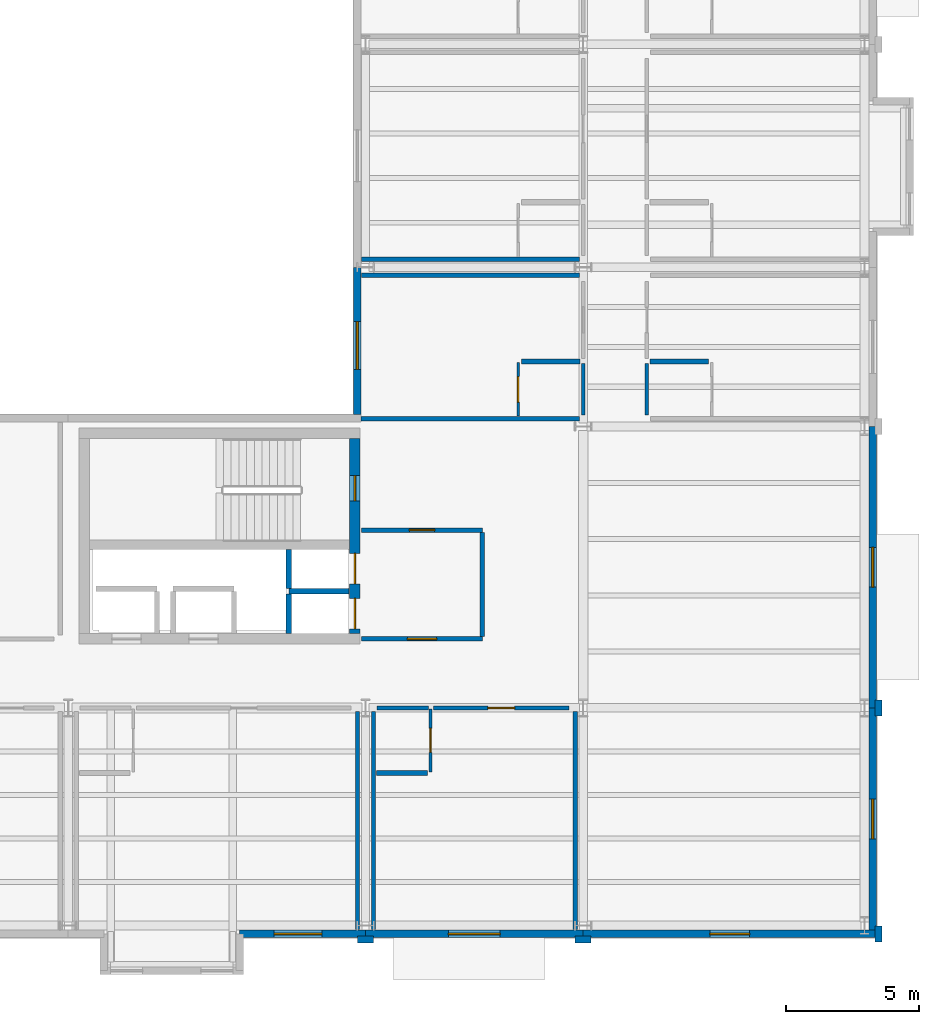
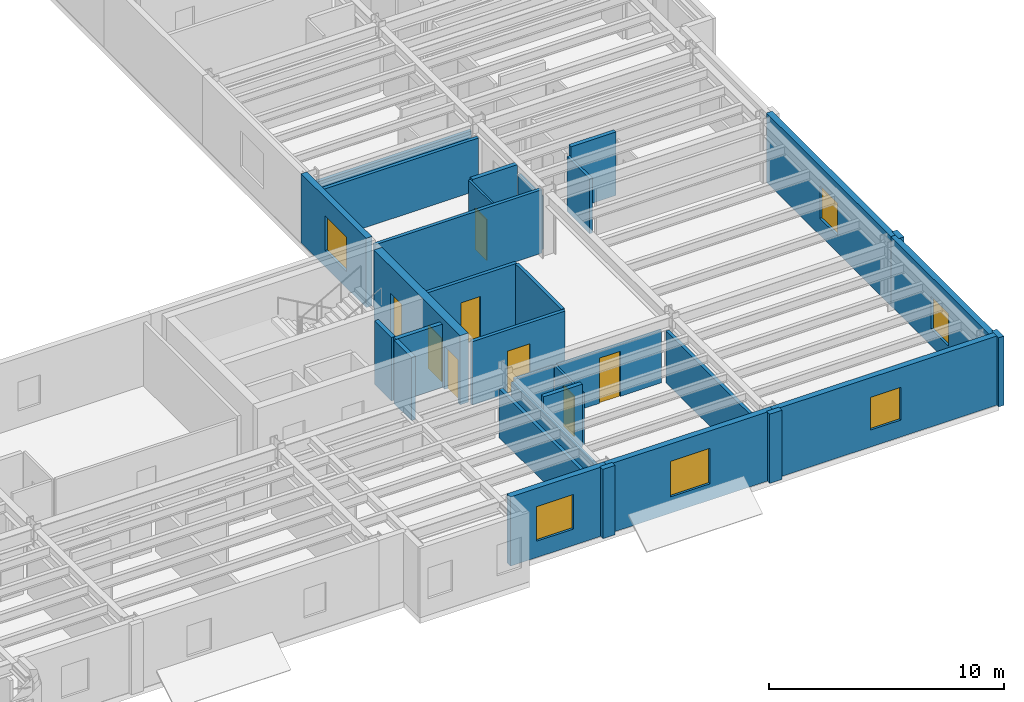
# One storey, part 23 of 34: 32 walls, 8 doors, 6 windows, 14 openings.
"""IFC4 building model written with IfcOpenShell, lengths in metres."""

from ifc_helpers import new_model, si_unit, direction, frame, frame_2d, origin, place, context, subcontext, project, spatial, rectangle, extrude, material, layer, layer_set, type_object, element, fill, save


model = new_model("IFC4")

# Units and contexts
model_context = context("Model", 3, precision=1e-05, world=origin(), true_north=direction((0.0, 1.0)))
body_context = subcontext(model_context, "Body", "Model", "MODEL_VIEW")
ifc_project = project(units=[si_unit("LENGTHUNIT", "METRE"), si_unit("AREAUNIT", "SQUARE_METRE"), si_unit("VOLUMEUNIT", "CUBIC_METRE"), si_unit("PLANEANGLEUNIT", "RADIAN"), si_unit("MASSUNIT", "GRAM", prefix="KILO")], contexts=[model_context])

# Site, building, storey
site_placement = place(None, origin())
site = spatial("IfcSite", under=ifc_project, at=site_placement, CompositionType="ELEMENT")
building_placement = place(site_placement, origin())
building = spatial("IfcBuilding", under=site, at=building_placement, Name="Sollismere Congress Hotel", CompositionType="ELEMENT")
storey_placement = place(building_placement, frame((0.0, 0.0, 23.39990234375)))
storey = spatial("IfcBuildingStorey", under=building, at=storey_placement, Name="L05", CompositionType="ELEMENT", Elevation=23.39990234375)

# Wall, opening, window
ifc_material_1 = material(Name="Colorado Buff Sandstone Rainscreen on Insulated Backup", Category="masonry")
ifc_layer_1 = layer(ifc_material_1, 0.284912109375, Name="Colorado Buff Sandstone Rainscreen on Insulated Backup")
ifc_layer_set_1 = layer_set([ifc_layer_1], Name="Colorado Buff Sandstone Rainscreen on Insulated Backup")
wall_type_1 = type_object("IfcWallType", Name="WL-EXT285", PredefinedType="STANDARD", material=ifc_layer_set_1)
wall_1_placement = place(storey_placement, frame((142.4599609375, -0.31005859375, 0.0), z_axis=(0.0, 0.0, 1.0), x_axis=(1.0, 0.0, 0.0)))
wall_1 = element("IfcWall", 1, at=wall_1_placement, inside=storey, type_object=wall_type_1, Name="Exterior wall EW-L05-600", PredefinedType="STANDARD", context=body_context, shape_type="SweptSolid", body=[
    extrude(rectangle(XDim=4.739990234375, YDim=0.284912109375, at=frame_2d((2.3701171875, 0.0))), origin(), (0.0, 0.0, 1.0), 3.60009765625),
])
opening_1_placement = place(wall_1_placement, frame((1.294921875, 0.0, 0.85009765625)))
opening_1 = element("IfcOpeningElement", 2, at=opening_1_placement, cuts=wall_1, Name="Opening W-L05-448", PredefinedType="OPENING", context=body_context, shape_type="SweptSolid", body=[
    extrude(rectangle(XDim=1.800048828125, YDim=1.800048828125, at=frame_2d((0.89990234375, 0.89990234375))), frame((0.0, 0.15234375, 0.0), z_axis=(0.0, -1.0, 0.0), x_axis=(1.0, 0.0, 0.0)), (0.0, 0.0, 1.0), 0.304931640625),
])
ifc_material_2 = material(Name="Thermally Broken Bronze Aluminum & Low-E Glass", Category="aluminium")
window_type_1 = type_object("IfcWindowType", Name="WN-P180x180", PartitioningType="SINGLE_PANEL", PredefinedType="WINDOW", material=ifc_material_2)
window_1_placement = place(opening_1_placement, origin())
window_1 = element("IfcWindow", 3, at=window_1_placement, inside=storey, type_object=window_type_1, Name="WIN-W-L05-448", OverallHeight=1.800048828125, OverallWidth=1.800048828125, PartitioningType="SINGLE_PANEL", PredefinedType="WINDOW", context=body_context, shape_type="SweptSolid", body=[
    extrude(rectangle(XDim=1.800048828125, YDim=1.800048828125, at=frame_2d((0.89990234375, 0.89990234375))), frame((0.0, 0.030029296875, 0.0), z_axis=(0.0, -1.0, 0.0), x_axis=(1.0, 0.0, 0.0)), (0.0, 0.0, 1.0), 0.06005859375),
])
fill(opening_1, window_1)

wall_2_placement = place(storey_placement, frame((147.199951171875, -0.31005859375, 0.0), z_axis=(0.0, 0.0, 1.0), x_axis=(1.0, 0.0, 0.0)))
wall_2 = element("IfcWall", 4, at=wall_2_placement, inside=storey, type_object=wall_type_1, Name="Exterior wall EW-L05-604", PredefinedType="STANDARD", context=body_context, shape_type="SweptSolid", body=[
    extrude(rectangle(XDim=8.199951171875, YDim=0.284912109375, at=frame_2d((4.10009765625, 0.0))), origin(), (0.0, 0.0, 1.0), 3.60009765625),
])
opening_2_placement = place(wall_2_placement, frame((3.125, 0.0, 0.85009765625)))
opening_2 = element("IfcOpeningElement", 5, at=opening_2_placement, cuts=wall_2, Name="Opening W-L05-451", PredefinedType="OPENING", context=body_context, shape_type="SweptSolid", body=[
    extrude(rectangle(XDim=1.949951171875, YDim=1.85009765625, at=frame_2d((0.97509765625, 0.925048828125))), frame((0.0, 0.15234375, 0.0), z_axis=(0.0, -1.0, 0.0), x_axis=(1.0, 0.0, 0.0)), (0.0, 0.0, 1.0), 0.304931640625),
])
window_type_2 = type_object("IfcWindowType", Name="WN-P195x185", PartitioningType="SINGLE_PANEL", PredefinedType="WINDOW", material=ifc_material_2)
window_2_placement = place(opening_2_placement, origin())
window_2 = element("IfcWindow", 6, at=window_2_placement, inside=storey, type_object=window_type_2, Name="WIN-W-L05-451", OverallHeight=1.85009765625, OverallWidth=1.949951171875, PartitioningType="SINGLE_PANEL", PredefinedType="WINDOW", context=body_context, shape_type="SweptSolid", body=[
    extrude(rectangle(XDim=1.949951171875, YDim=1.85009765625, at=frame_2d((0.97509765625, 0.925048828125))), frame((0.0, 0.030029296875, 0.0), z_axis=(0.0, -1.0, 0.0), x_axis=(1.0, 0.0, 0.0)), (0.0, 0.0, 1.0), 0.06005859375),
])
fill(opening_2, window_2)

wall_3_placement = place(storey_placement, frame((155.39990234375, -0.31005859375, 0.0), z_axis=(0.0, 0.0, 1.0), x_axis=(1.0, 0.0, 0.0)))
wall_3 = element("IfcWall", 7, at=wall_3_placement, inside=storey, type_object=wall_type_1, Name="Exterior wall EW-L05-606", PredefinedType="STANDARD", context=body_context, shape_type="SweptSolid", body=[
    extrude(rectangle(XDim=11.050048828125, YDim=0.284912109375, at=frame_2d((5.52490234375, 0.0))), origin(), (0.0, 0.0, 1.0), 3.60009765625),
])
opening_3_placement = place(wall_3_placement, frame((4.77490234375, 0.0, 0.8798828125)))
opening_3 = element("IfcOpeningElement", 8, at=opening_3_placement, cuts=wall_3, Name="Opening W-L05-452", PredefinedType="OPENING", context=body_context, shape_type="SweptSolid", body=[
    extrude(rectangle(XDim=1.5, YDim=1.699951171875, at=frame_2d((0.75, 0.85009765625))), frame((0.0, 0.15234375, 0.0), z_axis=(0.0, -1.0, 0.0), x_axis=(1.0, 0.0, 0.0)), (0.0, 0.0, 1.0), 0.304931640625),
])
window_type_3 = type_object("IfcWindowType", Name="WN-P150x170", PartitioningType="SINGLE_PANEL", PredefinedType="WINDOW", material=ifc_material_2)
window_3_placement = place(opening_3_placement, origin())
window_3 = element("IfcWindow", 9, at=window_3_placement, inside=storey, type_object=window_type_3, Name="WIN-W-L05-452", OverallHeight=1.699951171875, OverallWidth=1.5, PartitioningType="SINGLE_PANEL", PredefinedType="WINDOW", context=body_context, shape_type="SweptSolid", body=[
    extrude(rectangle(XDim=1.5, YDim=1.699951171875, at=frame_2d((0.75, 0.85009765625))), frame((0.0, 0.030029296875, 0.0), z_axis=(0.0, -1.0, 0.0), x_axis=(1.0, 0.0, 0.0)), (0.0, 0.0, 1.0), 0.06005859375),
])
fill(opening_3, window_3)

wall_4_placement = place(storey_placement, frame((166.31005859375, -0.16552734375, 0.0), z_axis=(0.0, 0.0, 1.0), x_axis=(0.0, 1.0, 0.0)))
wall_4 = element("IfcWall", 10, at=wall_4_placement, inside=storey, type_object=wall_type_1, Name="Exterior wall EW-L05-608", PredefinedType="STANDARD", context=body_context, shape_type="SweptSolid", body=[
    extrude(rectangle(XDim=8.365478515625, YDim=0.284912109375, at=frame_2d((4.1826171875, 0.0))), origin(), (0.0, 0.0, 1.0), 3.60009765625),
])
opening_4_placement = place(wall_4_placement, frame((3.4326171875, 0.0, 0.8798828125)))
opening_4 = element("IfcOpeningElement", 11, at=opening_4_placement, cuts=wall_4, Name="Opening W-L05-453", PredefinedType="OPENING", context=body_context, shape_type="SweptSolid", body=[
    extrude(rectangle(XDim=1.5, YDim=1.699951171875, at=frame_2d((0.75, 0.85009765625))), frame((0.0, 0.15234375, 0.0), z_axis=(0.0, -1.0, 0.0), x_axis=(1.0, 0.0, 0.0)), (0.0, 0.0, 1.0), 0.304931640625),
])
window_4_placement = place(opening_4_placement, origin())
window_4 = element("IfcWindow", 12, at=window_4_placement, inside=storey, type_object=window_type_3, Name="WIN-W-L05-453", OverallHeight=1.699951171875, OverallWidth=1.5, PartitioningType="SINGLE_PANEL", PredefinedType="WINDOW", context=body_context, shape_type="SweptSolid", body=[
    extrude(rectangle(XDim=1.5, YDim=1.699951171875, at=frame_2d((0.75, 0.85009765625))), frame((0.0, 0.030029296875, 0.0), z_axis=(0.0, -1.0, 0.0), x_axis=(1.0, 0.0, 0.0)), (0.0, 0.0, 1.0), 0.06005859375),
])
fill(opening_4, window_4)

wall_5_placement = place(storey_placement, frame((166.31005859375, 8.199951171875, 0.0), z_axis=(0.0, 0.0, 1.0), x_axis=(0.0, 1.0, 0.0)))
wall_5 = element("IfcWall", 13, at=wall_5_placement, inside=storey, type_object=wall_type_1, Name="Exterior wall EW-L05-610", PredefinedType="STANDARD", context=body_context, shape_type="SweptSolid", body=[
    extrude(rectangle(XDim=10.60009765625, YDim=0.284912109375, at=frame_2d((5.300048828125, 0.0))), origin(), (0.0, 0.0, 1.0), 3.60009765625),
])
opening_5_placement = place(wall_5_placement, frame((4.550048828125, 0.0, 0.8798828125)))
opening_5 = element("IfcOpeningElement", 14, at=opening_5_placement, cuts=wall_5, Name="Opening W-L05-454", PredefinedType="OPENING", context=body_context, shape_type="SweptSolid", body=[
    extrude(rectangle(XDim=1.5, YDim=1.699951171875, at=frame_2d((0.75, 0.85009765625))), frame((0.0, 0.15234375, 0.0), z_axis=(0.0, -1.0, 0.0), x_axis=(1.0, 0.0, 0.0)), (0.0, 0.0, 1.0), 0.304931640625),
])
window_5_placement = place(opening_5_placement, origin())
window_5 = element("IfcWindow", 15, at=window_5_placement, inside=storey, type_object=window_type_3, Name="WIN-W-L05-454", OverallHeight=1.699951171875, OverallWidth=1.5, PartitioningType="SINGLE_PANEL", PredefinedType="WINDOW", context=body_context, shape_type="SweptSolid", body=[
    extrude(rectangle(XDim=1.5, YDim=1.699951171875, at=frame_2d((0.75, 0.85009765625))), frame((0.0, 0.030029296875, 0.0), z_axis=(0.0, -1.0, 0.0), x_axis=(1.0, 0.0, 0.0)), (0.0, 0.0, 1.0), 0.06005859375),
])
fill(opening_5, window_5)

wall_6_placement = place(storey_placement, frame((146.889892578125, 19.25439453125, 0.0), z_axis=(0.0, 0.0, 1.0), x_axis=(0.0, 1.0, 0.0)))
wall_6 = element("IfcWall", 16, at=wall_6_placement, inside=storey, type_object=wall_type_1, Name="Exterior wall EW-L05-642", PredefinedType="STANDARD", context=body_context, shape_type="SweptSolid", body=[
    extrude(rectangle(XDim=5.545654296875, YDim=0.284912109375, at=frame_2d((2.77294921875, 0.0))), origin(), (0.0, 0.0, 1.0), 3.60009765625),
])
opening_6_placement = place(wall_6_placement, frame((1.69775390625, 0.0, 0.85009765625)))
opening_6 = element("IfcOpeningElement", 17, at=opening_6_placement, cuts=wall_6, Name="Opening W-L05-475", PredefinedType="OPENING", context=body_context, shape_type="SweptSolid", body=[
    extrude(rectangle(XDim=1.800048828125, YDim=1.800048828125, at=frame_2d((0.89990234375, 0.89990234375))), frame((0.0, 0.15234375, 0.0), z_axis=(0.0, -1.0, 0.0), x_axis=(1.0, 0.0, 0.0)), (0.0, 0.0, 1.0), 0.304931640625),
])
window_6_placement = place(opening_6_placement, origin())
window_6 = element("IfcWindow", 18, at=window_6_placement, inside=storey, type_object=window_type_1, Name="WIN-W-L05-475", OverallHeight=1.800048828125, OverallWidth=1.800048828125, PartitioningType="SINGLE_PANEL", PredefinedType="WINDOW", context=body_context, shape_type="SweptSolid", body=[
    extrude(rectangle(XDim=1.800048828125, YDim=1.800048828125, at=frame_2d((0.89990234375, 0.89990234375))), frame((0.0, 0.030029296875, 0.0), z_axis=(0.0, -1.0, 0.0), x_axis=(1.0, 0.0, 0.0)), (0.0, 0.0, 1.0), 0.06005859375),
])
fill(opening_6, window_6)

# Walls
ifc_material_3 = material(Name="Carved Travertine Pilaster & Frieze Assembly", Category="masonry")
ifc_layer_2 = layer(ifc_material_3, 0.260009765625, Name="Carved Travertine Pilaster & Frieze Assembly")
ifc_layer_set_2 = layer_set([ifc_layer_2], Name="Carved Travertine Pilaster & Frieze Assembly")
wall_type_2 = type_object("IfcWallType", Name="WL-PIL280", PredefinedType="ELEMENTEDWALL", material=ifc_layer_set_2)
wall_7_placement = place(storey_placement, frame((146.89990234375, -0.52001953125, 0.0), z_axis=(0.0, 0.0, 1.0), x_axis=(1.0, 0.0, 0.0)))
element("IfcWall", 19, at=wall_7_placement, inside=storey, type_object=wall_type_2, Name="Exterior wall EW-L05-605", PredefinedType="ELEMENTEDWALL", context=body_context, shape_type="SweptSolid", body=[
    extrude(rectangle(XDim=0.60009765625, YDim=0.260009765625, at=frame_2d((0.300048828125, 0.0))), origin(), (0.0, 0.0, 1.0), 3.60009765625),
])
wall_8_placement = place(storey_placement, frame((155.10009765625, -0.52001953125, 0.0), z_axis=(0.0, 0.0, 1.0), x_axis=(1.0, 0.0, 0.0)))
element("IfcWall", 20, at=wall_8_placement, inside=storey, type_object=wall_type_2, Name="Exterior wall EW-L05-607", PredefinedType="ELEMENTEDWALL", context=body_context, shape_type="SweptSolid", body=[
    extrude(rectangle(XDim=0.599853515625, YDim=0.260009765625, at=frame_2d((0.2998046875, 0.0))), origin(), (0.0, 0.0, 1.0), 3.60009765625),
])
for number, where, z_axis, x_axis, name in (
    (21, (166.52001953125, -0.610107421875, 0.0), (0.0, 0.0, 1.0), (0.0, 1.0, 0.0), "Exterior wall EW-L05-609"),
    (22, (166.52001953125, 7.89990234375, 0.0), (0.0, 0.0, 1.0), (0.0, 1.0, 0.0), "Exterior wall EW-L05-611"),
):
    element("IfcWall", number, at=place(storey_placement, frame(where, z_axis=z_axis, x_axis=x_axis)), inside=storey, type_object=wall_type_2, Name=name, PredefinedType="ELEMENTEDWALL", context=body_context, shape_type="SweptSolid", body=[
        extrude(rectangle(XDim=0.60009765625, YDim=0.260009765625, at=frame_2d((0.300048828125, 0.0))), origin(), (0.0, 0.0, 1.0), 3.60009765625),
    ])
ifc_material_4 = material(Name="Moisture-Resistant Shaft Gypsum Assembly")
ifc_layer_3 = layer(ifc_material_4, 0.199951171875, Name="Moisture-Resistant Shaft Gypsum Assembly")
ifc_layer_set_3 = layer_set([ifc_layer_3], Name="Moisture-Resistant Shaft Gypsum Assembly")
wall_type_3 = type_object("IfcWallType", Name="WL-PLM200", PredefinedType="PLUMBINGWALL", material=ifc_layer_set_3)
wall_9_placement = place(storey_placement, frame((144.31005859375, 12.594970703125, 0.0), z_axis=(0.0, 0.0, 1.0), x_axis=(1.0, 0.0, 0.0)))
element("IfcWall", 23, at=wall_9_placement, inside=storey, type_object=wall_type_3, Name="Interior wall IW-L05-0107", PredefinedType="PLUMBINGWALL", context=body_context, shape_type="SweptSolid", body=[
    extrude(rectangle(XDim=2.27783203125, YDim=0.199951171875, at=frame_2d((1.138916015625, 0.0))), origin(), (0.0, 0.0, 1.0), 3.300048828125),
])
wall_10_placement = place(storey_placement, frame((144.31005859375, 11.011962890625, 0.0), z_axis=(0.0, 0.0, 1.0), x_axis=(0.0, 1.0, 0.0)))
element("IfcWall", 24, at=wall_10_placement, inside=storey, type_object=wall_type_3, Name="Interior wall IW-L05-0108", PredefinedType="PLUMBINGWALL", context=body_context, shape_type="SweptSolid", body=[
    extrude(rectangle(XDim=1.470947265625, YDim=0.199951171875, at=frame_2d((0.7353515625, 0.0))), origin(), (0.0, 0.0, 1.0), 3.300048828125),
])
wall_11_placement = place(storey_placement, frame((144.31005859375, 12.70703125, 0.0), z_axis=(0.0, 0.0, 1.0), x_axis=(0.0, 1.0, 0.0)))
element("IfcWall", 25, at=wall_11_placement, inside=storey, type_object=wall_type_3, Name="Interior wall IW-L05-0109", PredefinedType="PLUMBINGWALL", context=body_context, shape_type="SweptSolid", body=[
    extrude(rectangle(XDim=1.4560546875, YDim=0.199951171875, at=frame_2d((0.72802734375, 0.0))), origin(), (0.0, 0.0, 1.0), 3.300048828125),
])
wall_12_placement = place(storey_placement, frame((147.6201171875, 5.75, 0.0), z_axis=(0.0, 0.0, 1.0), x_axis=(1.0, 0.0, 0.0)))
element("IfcWall", 26, at=wall_12_placement, inside=storey, type_object=wall_type_3, Name="Interior wall IW-L05-1881", PredefinedType="PLUMBINGWALL", context=body_context, shape_type="SweptSolid", body=[
    extrude(rectangle(XDim=1.909912109375, YDim=0.199951171875, at=frame_2d((0.955078125, 0.0))), origin(), (0.0, 0.0, 1.0), 3.300048828125),
])
for number, where, z_axis, x_axis, name in (
    (27, (157.919921875, 21.25, 0.0), (0.0, 0.0, 1.0), (1.0, 0.0, 0.0), "Interior wall IW-L05-1886"),
    (28, (153.070068359375, 21.25, 0.0), (0.0, 0.0, 1.0), (1.0, 0.0, 0.0), "Interior wall IW-L05-1892"),
):
    element("IfcWall", number, at=place(storey_placement, frame(where, z_axis=z_axis, x_axis=x_axis)), inside=storey, type_object=wall_type_3, Name=name, PredefinedType="PLUMBINGWALL", context=body_context, shape_type="SweptSolid", body=[
        extrude(rectangle(XDim=2.2099609375, YDim=0.199951171875, at=frame_2d((1.10498046875, 0.0))), origin(), (0.0, 0.0, 1.0), 3.300048828125),
    ])

# Wall, opening, door
ifc_material_5 = material(Name="Moisture-Resistant Gypsum Partition")
ifc_layer_4 = layer(ifc_material_5, 0.10009765625, Name="Moisture-Resistant Gypsum Partition")
ifc_layer_set_4 = layer_set([ifc_layer_4], Name="Moisture-Resistant Gypsum Partition")
wall_type_4 = type_object("IfcWallType", Name="WL-PRT100", PredefinedType="PARTITIONING", material=ifc_layer_set_4)
wall_13_placement = place(storey_placement, frame((149.64990234375, 5.7900390625, 0.0), z_axis=(0.0, 0.0, 1.0), x_axis=(0.0, 1.0, 0.0)))
wall_13 = element("IfcWall", 29, at=wall_13_placement, inside=storey, type_object=wall_type_4, Name="Interior wall IW-L05-1880", PredefinedType="PARTITIONING", context=body_context, shape_type="SweptSolid", body=[
    extrude(rectangle(XDim=2.369873046875, YDim=0.10009765625, at=frame_2d((1.18505859375, 0.0))), origin(), (0.0, 0.0, 1.0), 2.713134765625),
])
opening_7_placement = place(wall_13_placement, frame((0.73291015625, 0.0, 0.0)))
opening_7 = element("IfcOpeningElement", 30, at=opening_7_placement, cuts=wall_13, Name="Opening D-L05-0664", PredefinedType="OPENING", context=body_context, shape_type="SweptSolid", body=[
    extrude(rectangle(XDim=0.905029296875, YDim=2.10009765625, at=frame_2d((0.45263671875, 1.050048828125))), frame((0.0, 0.06005859375, 0.0), z_axis=(0.0, -1.0, 0.0), x_axis=(1.0, 0.0, 0.0)), (0.0, 0.0, 1.0), 0.1201171875),
])
ifc_material_6 = material(Name="Moisture-Sealed Timber Bathroom Door", Category="wood")
door_type_1 = type_object("IfcDoorType", Name="DR-BT02", OperationType="NOTDEFINED", PredefinedType="DOOR", material=ifc_material_6)
door_1_placement = place(opening_7_placement, origin())
door_1 = element("IfcDoor", 31, at=door_1_placement, inside=storey, type_object=door_type_1, Name="En-suite bathroom door D-L05-0664", OperationType="SINGLE_SWING_LEFT", OverallHeight=2.10009765625, OverallWidth=0.905029296875, PredefinedType="DOOR", context=body_context, shape_type="SweptSolid", body=[
    extrude(rectangle(XDim=0.905029296875, YDim=2.10009765625, at=frame_2d((0.45263671875, 1.050048828125))), frame((0.0, 0.02490234375, 0.0), z_axis=(0.0, -1.0, 0.0), x_axis=(1.0, 0.0, 0.0)), (0.0, 0.0, 1.0), 0.050048828125),
])
fill(opening_7, door_1)

wall_14_placement = place(storey_placement, frame((152.949951171875, 19.194580078125, 0.0), z_axis=(0.0, 0.0, 1.0), x_axis=(0.0, 1.0, 0.0)))
wall_14 = element("IfcWall", 32, at=wall_14_placement, inside=storey, type_object=wall_type_4, Name="Interior wall IW-L05-1893", PredefinedType="PARTITIONING", context=body_context, shape_type="SweptSolid", body=[
    extrude(rectangle(XDim=2.015380859375, YDim=0.10009765625, at=frame_2d((1.0078125, 0.0))), origin(), (0.0, 0.0, 1.0), 3.300048828125),
])
opening_8_placement = place(wall_14_placement, frame((0.530029296875, 0.0, 0.0)))
opening_8 = element("IfcOpeningElement", 33, at=opening_8_placement, cuts=wall_14, Name="Opening D-L05-0668", PredefinedType="OPENING", context=body_context, shape_type="SweptSolid", body=[
    extrude(rectangle(XDim=0.955078125, YDim=2.139892578125, at=frame_2d((0.4775390625, 1.06982421875))), frame((0.0, 0.06005859375, 0.0), z_axis=(0.0, -1.0, 0.0), x_axis=(1.0, 0.0, 0.0)), (0.0, 0.0, 1.0), 0.1201171875),
])
door_type_2 = type_object("IfcDoorType", Name="DR-BT04", OperationType="NOTDEFINED", PredefinedType="DOOR", material=ifc_material_6)
door_2_placement = place(opening_8_placement, origin())
door_2 = element("IfcDoor", 34, at=door_2_placement, inside=storey, type_object=door_type_2, Name="En-suite bathroom door D-L05-0668", OperationType="SINGLE_SWING_LEFT", OverallHeight=2.139892578125, OverallWidth=0.955078125, PredefinedType="DOOR", context=body_context, shape_type="SweptSolid", body=[
    extrude(rectangle(XDim=0.955078125, YDim=2.139892578125, at=frame_2d((0.4775390625, 1.06982421875))), frame((0.0, 0.02490234375, 0.0), z_axis=(0.0, -1.0, 0.0), x_axis=(1.0, 0.0, 0.0)), (0.0, 0.0, 1.0), 0.050048828125),
])
fill(opening_8, door_2)

# Wall
ifc_material_7 = material(Name="Fire-Rated Gypsum Partition")
ifc_layer_5 = layer(ifc_material_7, 0.139892578125, Name="Fire-Rated Gypsum Partition")
ifc_layer_set_5 = layer_set([ifc_layer_5], Name="Fire-Rated Gypsum Partition")
wall_type_5 = type_object("IfcWallType", Name="WL-PRT140R", PredefinedType="PARTITIONING", material=ifc_layer_set_5)
wall_15_placement = place(storey_placement, frame((147.639892578125, 8.199951171875, 0.0), z_axis=(0.0, 0.0, 1.0), x_axis=(1.0, 0.0, 0.0)))
element("IfcWall", 35, at=wall_15_placement, inside=storey, type_object=wall_type_5, Name="Interior wall IW-L05-1876", PredefinedType="PARTITIONING", context=body_context, shape_type="SweptSolid", body=[
    extrude(rectangle(XDim=1.93017578125, YDim=0.139892578125, at=frame_2d((0.965087890625, 0.0))), origin(), (0.0, 0.0, 1.0), 2.713134765625),
])

# Wall, opening, door
wall_16_placement = place(storey_placement, frame((149.77001953125, 8.199951171875, 0.0), z_axis=(0.0, 0.0, 1.0), x_axis=(1.0, 0.0, 0.0)))
wall_16 = element("IfcWall", 36, at=wall_16_placement, inside=storey, type_object=wall_type_5, Name="Interior wall IW-L05-1877", PredefinedType="PARTITIONING", context=body_context, shape_type="SweptSolid", body=[
    extrude(rectangle(XDim=5.090087890625, YDim=0.139892578125, at=frame_2d((2.544921875, 0.0))), origin(), (0.0, 0.0, 1.0), 2.713134765625),
])
opening_9_placement = place(wall_16_placement, frame((2.0400390625, 0.0, 0.0)))
opening_9 = element("IfcOpeningElement", 37, at=opening_9_placement, cuts=wall_16, Name="Opening D-L05-0663", PredefinedType="OPENING", context=body_context, shape_type="SweptSolid", body=[
    extrude(rectangle(XDim=1.010009765625, YDim=2.35009765625, at=frame_2d((0.5048828125, 1.175048828125))), frame((0.0, 0.079833984375, 0.0), z_axis=(0.0, -1.0, 0.0), x_axis=(1.0, 0.0, 0.0)), (0.0, 0.0, 1.0), 0.159912109375),
])
ifc_material_8 = material(Name="Solid-Core Acoustic Walnut Guestroom Entry Door")
door_type_3 = type_object("IfcDoorType", Name="DR-KY10", OperationType="NOTDEFINED", PredefinedType="DOOR", material=ifc_material_8)
door_3_placement = place(opening_9_placement, origin())
door_3 = element("IfcDoor", 38, at=door_3_placement, inside=storey, type_object=door_type_3, Name="Hotel room entry door D-L05-0663", OperationType="SINGLE_SWING_RIGHT", OverallHeight=2.35009765625, OverallWidth=1.010009765625, PredefinedType="DOOR", context=body_context, shape_type="SweptSolid", body=[
    extrude(rectangle(XDim=1.010009765625, YDim=2.35009765625, at=frame_2d((0.5048828125, 1.175048828125))), frame((0.0, 0.02490234375, 0.0), z_axis=(0.0, -1.0, 0.0), x_axis=(1.0, 0.0, 0.0)), (0.0, 0.0, 1.0), 0.050048828125),
])
fill(opening_9, door_3)

# Walls
wall_17_placement = place(storey_placement, frame((157.800048828125, 19.239990234375, 0.0), z_axis=(0.0, 0.0, 1.0), x_axis=(0.0, 1.0, 0.0)))
element("IfcWall", 39, at=wall_17_placement, inside=storey, type_object=wall_type_5, Name="Interior wall IW-L05-1882", PredefinedType="PARTITIONING", context=body_context, shape_type="SweptSolid", body=[
    extrude(rectangle(XDim=1.929931640625, YDim=0.139892578125, at=frame_2d((0.96484375, 0.0))), origin(), (0.0, 0.0, 1.0), 2.858154296875),
])
wall_18_placement = place(storey_placement, frame((155.39990234375, 19.239990234375, 0.0), z_axis=(0.0, 0.0, 1.0), x_axis=(0.0, 1.0, 0.0)))
element("IfcWall", 40, at=wall_18_placement, inside=storey, type_object=wall_type_5, Name="Interior wall IW-L05-1888", PredefinedType="PARTITIONING", context=body_context, shape_type="SweptSolid", body=[
    extrude(rectangle(XDim=1.929931640625, YDim=0.139892578125, at=frame_2d((0.96484375, 0.0))), origin(), (0.0, 0.0, 1.0), 2.774169921875),
])

# Wall, opening, door
ifc_material_9 = material(Name="Fire-Rated Acoustic Gypsum Partition")
ifc_layer_6 = layer(ifc_material_9, 0.1650390625, Name="Fire-Rated Acoustic Gypsum Partition")
ifc_layer_set_6 = layer_set([ifc_layer_6], Name="Fire-Rated Acoustic Gypsum Partition")
wall_type_6 = type_object("IfcWallType", Name="WL-PRT165R", PredefinedType="PARTITIONING", material=ifc_layer_set_6)
wall_19_placement = place(storey_placement, frame((147.050048828125, 10.800048828125, 0.0), z_axis=(0.0, 0.0, 1.0), x_axis=(1.0, 0.0, 0.0)))
wall_19 = element("IfcWall", 41, at=wall_19_placement, inside=storey, type_object=wall_type_6, Name="Interior wall IW-L05-0110", PredefinedType="PARTITIONING", context=body_context, shape_type="SweptSolid", body=[
    extrude(rectangle(XDim=4.550048828125, YDim=0.1650390625, at=frame_2d((2.27490234375, 0.0))), origin(), (0.0, 0.0, 1.0), 3.300048828125),
])
opening_10_placement = place(wall_19_placement, frame((1.72509765625, 0.0, 0.0)))
opening_10 = element("IfcOpeningElement", 42, at=opening_10_placement, cuts=wall_19, Name="Opening D-FFL-L05", PredefinedType="OPENING", context=body_context, shape_type="SweptSolid", body=[
    extrude(rectangle(XDim=1.10009765625, YDim=2.199951171875, at=frame_2d((0.550048828125, 1.10009765625))), frame((0.0, 0.092529296875, 0.0), z_axis=(0.0, -1.0, 0.0), x_axis=(1.0, 0.0, 0.0)), (0.0, 0.0, 1.0), 0.18505859375),
])
ifc_material_10 = material(Name="Smoke-Barrier Rated Timber-Clad Steel Door", Category="steel")
door_type_4 = type_object("IfcDoorType", Name="DR-FFL110", OperationType="NOTDEFINED", PredefinedType="DOOR", material=ifc_material_10)
door_4_placement = place(opening_10_placement, origin())
door_4 = element("IfcDoor", 43, at=door_4_placement, inside=storey, type_object=door_type_4, Name="Firefighting lobby smoke door D-FFL-L05", OperationType="SINGLE_SWING_RIGHT", OverallHeight=2.199951171875, OverallWidth=1.10009765625, PredefinedType="DOOR", context=body_context, shape_type="SweptSolid", body=[
    extrude(rectangle(XDim=1.10009765625, YDim=2.199951171875, at=frame_2d((0.550048828125, 1.10009765625))), frame((0.0, 0.02490234375, 0.0), z_axis=(0.0, -1.0, 0.0), x_axis=(1.0, 0.0, 0.0)), (0.0, 0.0, 1.0), 0.050048828125),
])
fill(opening_10, door_4)

wall_20_placement = place(storey_placement, frame((147.050048828125, 14.89990234375, 0.0), z_axis=(0.0, 0.0, 1.0), x_axis=(1.0, 0.0, 0.0)))
wall_20 = element("IfcWall", 44, at=wall_20_placement, inside=storey, type_object=wall_type_6, Name="Interior wall IW-L05-0111", PredefinedType="PARTITIONING", context=body_context, shape_type="SweptSolid", body=[
    extrude(rectangle(XDim=4.550048828125, YDim=0.1650390625, at=frame_2d((2.27490234375, 0.0))), origin(), (0.0, 0.0, 1.0), 3.300048828125),
])
opening_11_placement = place(wall_20_placement, frame((1.800048828125, 0.0, 0.0)))
opening_11 = element("IfcOpeningElement", 45, at=opening_11_placement, cuts=wall_20, Name="Opening D-FFS-L05", PredefinedType="OPENING", context=body_context, shape_type="SweptSolid", body=[
    extrude(rectangle(XDim=0.949951171875, YDim=2.199951171875, at=frame_2d((0.47509765625, 1.10009765625))), frame((0.0, 0.092529296875, 0.0), z_axis=(0.0, -1.0, 0.0), x_axis=(1.0, 0.0, 0.0)), (0.0, 0.0, 1.0), 0.18505859375),
])
ifc_material_11 = material(Name="Fire-Rated Insulated Steel Door", Category="steel")
door_type_5 = type_object("IfcDoorType", Name="DR-FD90", OperationType="NOTDEFINED", PredefinedType="DOOR", material=ifc_material_11)
door_5_placement = place(opening_11_placement, origin())
door_5 = element("IfcDoor", 46, at=door_5_placement, inside=storey, type_object=door_type_5, Name="Firefighting stair vestibule door D-FFS-L05", OperationType="SINGLE_SWING_LEFT", OverallHeight=2.199951171875, OverallWidth=0.949951171875, PredefinedType="DOOR", context=body_context, shape_type="SweptSolid", body=[
    extrude(rectangle(XDim=0.949951171875, YDim=2.199951171875, at=frame_2d((0.47509765625, 1.10009765625))), frame((0.0, 0.02490234375, 0.0), z_axis=(0.0, -1.0, 0.0), x_axis=(1.0, 0.0, 0.0)), (0.0, 0.0, 1.0), 0.050048828125),
])
fill(opening_11, door_5)

# Walls
wall_21_placement = place(storey_placement, frame((151.60009765625, 10.89453125, 0.0), z_axis=(0.0, 0.0, 1.0), x_axis=(0.0, 1.0, 0.0)))
element("IfcWall", 47, at=wall_21_placement, inside=storey, type_object=wall_type_6, Name="Interior wall IW-L05-0112", PredefinedType="PARTITIONING", context=body_context, shape_type="SweptSolid", body=[
    extrude(rectangle(XDim=3.910888671875, YDim=0.1650390625, at=frame_2d((1.95556640625, 0.0))), origin(), (0.0, 0.0, 1.0), 3.300048828125),
])
wall_22_placement = place(storey_placement, frame((146.89990234375, -0.152587890625, 0.0), z_axis=(0.0, 0.0, 1.0), x_axis=(0.0, 1.0, 0.0)))
element("IfcWall", 48, at=wall_22_placement, inside=storey, type_object=wall_type_6, Name="Interior wall IW-L05-1873", PredefinedType="PARTITIONING", context=body_context, shape_type="SweptSolid", body=[
    extrude(rectangle(XDim=8.212646484375, YDim=0.1650390625, at=frame_2d((4.1064453125, 0.0))), origin(), (0.0, 0.0, 1.0), 2.5380859375),
])
for number, where, z_axis, x_axis, name in (
    (49, (147.5, -0.152587890625, 0.0), (0.0, 0.0, 1.0), (0.0, 1.0, 0.0), "Interior wall IW-L05-1878"),
    (50, (155.10009765625, -0.152587890625, 0.0), (0.0, 0.0, 1.0), (0.0, 1.0, 0.0), "Interior wall IW-L05-1879"),
):
    element("IfcWall", number, at=place(storey_placement, frame(where, z_axis=z_axis, x_axis=x_axis)), inside=storey, type_object=wall_type_6, Name=name, PredefinedType="PARTITIONING", context=body_context, shape_type="SweptSolid", body=[
        extrude(rectangle(XDim=8.212646484375, YDim=0.1650390625, at=frame_2d((4.1064453125, 0.0))), origin(), (0.0, 0.0, 1.0), 2.690185546875),
    ])
wall_23_placement = place(storey_placement, frame((147.0400390625, 19.10009765625, 0.0), z_axis=(0.0, 0.0, 1.0), x_axis=(1.0, 0.0, 0.0)))
element("IfcWall", 51, at=wall_23_placement, inside=storey, type_object=wall_type_6, Name="Interior wall IW-L05-1890", PredefinedType="PARTITIONING", context=body_context, shape_type="SweptSolid", body=[
    extrude(rectangle(XDim=8.219970703125, YDim=0.1650390625, at=frame_2d((4.10986328125, 0.0))), origin(), (0.0, 0.0, 1.0), 3.300048828125),
])
for number, where, z_axis, x_axis, name in (
    (52, (147.047607421875, 24.5, 0.0), (0.0, 0.0, 1.0), (1.0, 0.0, 0.0), "Interior wall IW-L05-1891"),
    (53, (147.047607421875, 25.10009765625, 0.0), (0.0, 0.0, 1.0), (1.0, 0.0, 0.0), "Interior wall IW-L05-1902"),
):
    element("IfcWall", number, at=place(storey_placement, frame(where, z_axis=z_axis, x_axis=x_axis)), inside=storey, type_object=wall_type_6, Name=name, PredefinedType="PARTITIONING", context=body_context, shape_type="SweptSolid", body=[
        extrude(rectangle(XDim=8.21240234375, YDim=0.1650390625, at=frame_2d((4.106201171875, 0.0))), origin(), (0.0, 0.0, 1.0), 2.713134765625),
    ])

# Wall, openings, doors
ifc_material_12 = material(Name="Concrete C50/60", Category="concrete")
ifc_layer_7 = layer(ifc_material_12, 0.39990234375, Name="Concrete C50/60")
ifc_layer_set_7 = layer_set([ifc_layer_7], Name="Concrete C50/60")
wall_type_7 = type_object("IfcWallType", Name="WL-SHR400", PredefinedType="SHEAR", material=ifc_layer_set_7)
wall_24_placement = place(storey_placement, frame((146.800048828125, 11.0, 0.0), z_axis=(0.0, 0.0, 1.0), x_axis=(0.0, 1.0, 0.0)))
wall_24 = element("IfcWall", 54, at=wall_24_placement, inside=storey, type_object=wall_type_7, Name="Interior wall IW-L05-0100", PredefinedType="SHEAR", context=body_context, shape_type="SweptSolid", body=[
    extrude(rectangle(XDim=7.35009765625, YDim=0.39990234375, at=frame_2d((3.675048828125, 0.0))), origin(), (0.0, 0.0, 1.0), 3.60009765625),
])
opening_12_placement = place(wall_24_placement, frame((5.0, 0.0, 0.0)))
opening_12 = element("IfcOpeningElement", 55, at=opening_12_placement, cuts=wall_24, Name="Opening D-ST-01-L05", PredefinedType="OPENING", context=body_context, shape_type="SweptSolid", body=[
    extrude(rectangle(XDim=0.949951171875, YDim=2.199951171875, at=frame_2d((0.47509765625, 1.10009765625))), frame((0.0, 0.2099609375, 0.0), z_axis=(0.0, -1.0, 0.0), x_axis=(1.0, 0.0, 0.0)), (0.0, 0.0, 1.0), 0.419921875),
])
opening_13_placement = place(wall_24_placement, frame((0.175048828125, 0.0, 0.0)))
opening_13 = element("IfcOpeningElement", 56, at=opening_13_placement, cuts=wall_24, Name="Opening LD-FL-01-L05", PredefinedType="OPENING", context=body_context, shape_type="SweptSolid", body=[
    extrude(rectangle(XDim=1.14990234375, YDim=2.25, at=frame_2d((0.574951171875, 1.125))), frame((0.0, 0.2099609375, 0.0), z_axis=(0.0, -1.0, 0.0), x_axis=(1.0, 0.0, 0.0)), (0.0, 0.0, 1.0), 0.419921875),
])
opening_14_placement = place(wall_24_placement, frame((1.875, 0.0, 0.0)))
opening_14 = element("IfcOpeningElement", 57, at=opening_14_placement, cuts=wall_24, Name="Opening LD-FL-02-L05", PredefinedType="OPENING", context=body_context, shape_type="SweptSolid", body=[
    extrude(rectangle(XDim=1.14990234375, YDim=2.25, at=frame_2d((0.574951171875, 1.125))), frame((0.0, 0.2099609375, 0.0), z_axis=(0.0, -1.0, 0.0), x_axis=(1.0, 0.0, 0.0)), (0.0, 0.0, 1.0), 0.419921875),
])
door_6_placement = place(opening_12_placement, origin())
door_6 = element("IfcDoor", 58, at=door_6_placement, inside=storey, type_object=door_type_5, Name="Exit stair fire door D-ST-01-L05", OperationType="SINGLE_SWING_LEFT", OverallHeight=2.199951171875, OverallWidth=0.949951171875, PredefinedType="DOOR", context=body_context, shape_type="SweptSolid", body=[
    extrude(rectangle(XDim=0.949951171875, YDim=2.199951171875, at=frame_2d((0.47509765625, 1.10009765625))), frame((0.0, 0.02490234375, 0.0), z_axis=(0.0, -1.0, 0.0), x_axis=(1.0, 0.0, 0.0)), (0.0, 0.0, 1.0), 0.050048828125),
])
fill(opening_12, door_6)
ifc_material_13 = material(Name="Stainless Steel Sliding Elevator Landing Door", Category="steel")
door_type_6 = type_object("IfcDoorType", Name="DR-LD115", OperationType="NOTDEFINED", PredefinedType="DOOR", material=ifc_material_13)
door_7_placement = place(opening_13_placement, origin())
door_7 = element("IfcDoor", 59, at=door_7_placement, inside=storey, type_object=door_type_6, Name="Elevator landing door LD-FL-01-L05", OperationType="SLIDING_TO_LEFT", OverallHeight=2.25, OverallWidth=1.14990234375, PredefinedType="DOOR", context=body_context, shape_type="SweptSolid", body=[
    extrude(rectangle(XDim=1.14990234375, YDim=2.25, at=frame_2d((0.574951171875, 1.125))), frame((0.0, 0.02490234375, 0.0), z_axis=(0.0, -1.0, 0.0), x_axis=(1.0, 0.0, 0.0)), (0.0, 0.0, 1.0), 0.050048828125),
])
fill(opening_13, door_7)
door_8_placement = place(opening_14_placement, origin())
door_8 = element("IfcDoor", 60, at=door_8_placement, inside=storey, type_object=door_type_6, Name="Elevator landing door LD-FL-02-L05", OperationType="SLIDING_TO_RIGHT", OverallHeight=2.25, OverallWidth=1.14990234375, PredefinedType="DOOR", context=body_context, shape_type="SweptSolid", body=[
    extrude(rectangle(XDim=1.14990234375, YDim=2.25, at=frame_2d((0.574951171875, 1.125))), frame((0.0, 0.02490234375, 0.0), z_axis=(0.0, -1.0, 0.0), x_axis=(1.0, 0.0, 0.0)), (0.0, 0.0, 1.0), 0.050048828125),
])
fill(opening_14, door_8)

save(model, "model.ifc")
